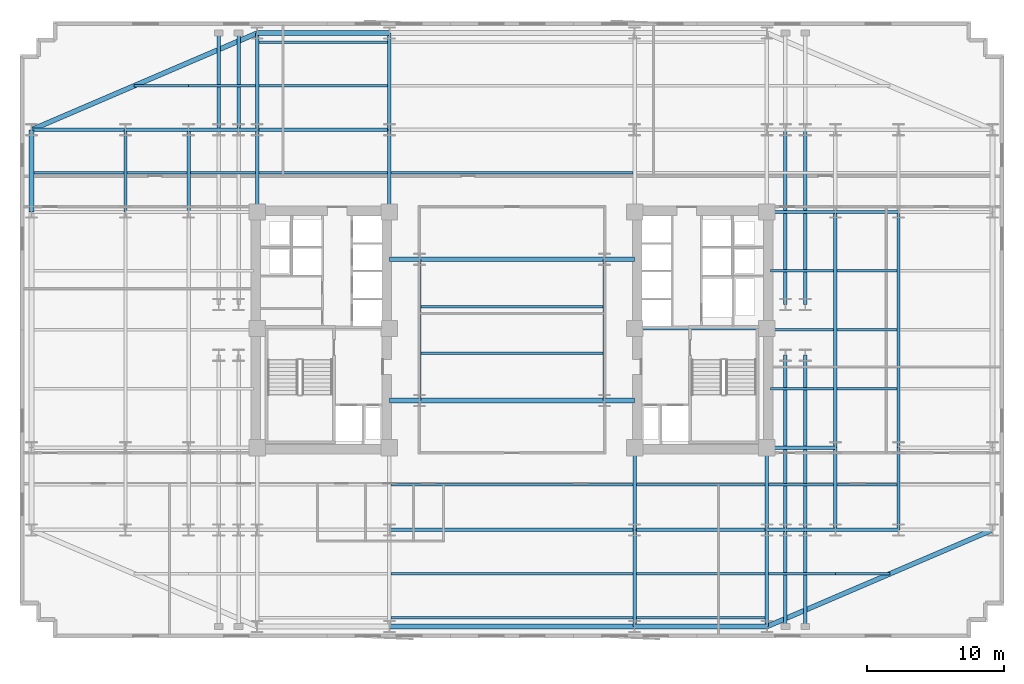
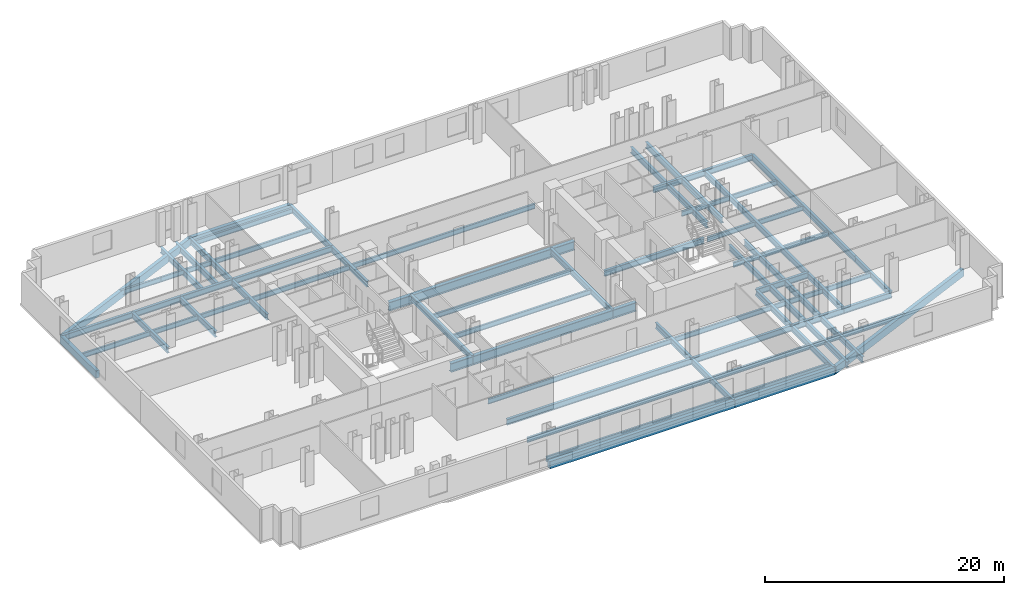
# One storey, part 2 of 10: 75 beams.
"""IFC4 building model written with IfcOpenShell, lengths in metres."""

from ifc_helpers import new_model, si_unit, direction, frame, origin, origin_2d, place, context, subcontext, project, spatial, rectangle, i_section, extrude, material, material_profile, profile_set, type_object, element, save


model = new_model("IFC4")

# Units and contexts
model_context = context("Model", 3, precision=1e-05, world=origin(), true_north=direction((0.0, 1.0)))
body_context = subcontext(model_context, "Body", "Model", "MODEL_VIEW")
ifc_project = project(units=[si_unit("LENGTHUNIT", "METRE"), si_unit("AREAUNIT", "SQUARE_METRE"), si_unit("VOLUMEUNIT", "CUBIC_METRE"), si_unit("PLANEANGLEUNIT", "RADIAN"), si_unit("MASSUNIT", "GRAM", prefix="KILO")], contexts=[model_context])

# Site, building, storey
site_placement = place(None, origin())
site = spatial("IfcSite", under=ifc_project, at=site_placement, CompositionType="ELEMENT")
building_placement = place(site_placement, origin())
building = spatial("IfcBuilding", under=site, at=building_placement, Name="Velakula Bourse", CompositionType="ELEMENT")
storey_placement = place(building_placement, frame((0.0, 0.0, 38.10009765625)))
storey = spatial("IfcBuildingStorey", under=building, at=storey_placement, Name="L09", CompositionType="ELEMENT", Elevation=38.10009765625)

# Beams
ifc_material_1 = material(Name="Steel IS 2062 Grade 350 (E350)", Category="steel")
ifc_material_profile_1 = material_profile(ifc_material_1, i_section(OverallWidth=0.25, OverallDepth=0.60009765625, WebThickness=0.01171875, FlangeThickness=0.023681640625, at=origin_2d()), Name="Steel IS 2062 Grade 350 (E350)")
ifc_profile_set_1 = profile_set([ifc_material_profile_1], Name="Steel IS 2062 Grade 350 (E350)")
beam_type_1 = type_object("IfcBeamType", Name="BM-GRD-600H", PredefinedType="BEAM", material=ifc_profile_set_1)
beam_1_placement = place(storey_placement, frame((8.949951171875, 0.10009765625, -0.47998046875), z_axis=(1.0, 0.0, 0.0), x_axis=(0.0, 1.0, 0.0)))
element("IfcBeam", 1, at=beam_1_placement, inside=storey, type_object=beam_type_1, Name="L09 Primary Backbone Girder CRE-M", PredefinedType="BEAM", context=body_context, shape_type="SweptSolid", body=[
    extrude(i_section(OverallWidth=0.25, OverallDepth=0.60009765625, WebThickness=0.01171875, FlangeThickness=0.023681640625, at=origin_2d()), origin(), (0.0, 0.0, 1.0), 9.650146484375),
])
for number, where, z_axis, x_axis, name in (
    (2, (-6.75, -5.14990234375, -0.47998046875), (0.0, 1.0, 0.0), (-1.0, 0.0, 0.0), "L09 Primary Backbone Girder SPN-W"),
    (3, (6.75, -5.14990234375, -0.47998046875), (0.0, 1.0, 0.0), (-1.0, 0.0, 0.0), "L09 Primary Backbone Girder SPN-E"),
):
    element("IfcBeam", number, at=place(storey_placement, frame(where, z_axis=z_axis, x_axis=x_axis)), inside=storey, type_object=beam_type_1, Name=name, PredefinedType="BEAM", context=body_context, shape_type="SweptSolid", body=[
        extrude(i_section(OverallWidth=0.25, OverallDepth=0.60009765625, WebThickness=0.01171875, FlangeThickness=0.023681640625, at=origin_2d()), origin(), (0.0, 0.0, 1.0), 10.2998046875),
    ])
for number, where, z_axis, x_axis, name in (
    (4, (-18.60009765625, 8.60009765625, -0.47998046875), (0.0, 1.0, 0.0), (-1.0, 0.0, 0.0), "L09 Fulcrum Grid Girder FLC-WN"),
    (5, (-8.949951171875, 8.60009765625, -0.47998046875), (0.0, 1.0, 0.0), (-1.0, 0.0, 0.0), "L09 Fulcrum Grid Girder FLC-WCN"),
    (6, (8.949951171875, -14.60009765625, -0.47998046875), (0.0, 1.0, 0.0), (-1.0, 0.0, 0.0), "L09 Fulcrum Grid Girder FLC-ECS"),
    (7, (18.60009765625, -14.60009765625, -0.47998046875), (0.0, 1.0, 0.0), (-1.0, 0.0, 0.0), "L09 Fulcrum Grid Girder FLC-ES"),
):
    element("IfcBeam", number, at=place(storey_placement, frame(where, z_axis=z_axis, x_axis=x_axis)), inside=storey, type_object=beam_type_1, Name=name, PredefinedType="BEAM", context=body_context, shape_type="SweptSolid", body=[
        extrude(i_section(OverallWidth=0.25, OverallDepth=0.60009765625, WebThickness=0.01171875, FlangeThickness=0.023681640625, at=origin_2d()), origin(), (0.0, 0.0, 1.0), 6.0),
    ])
beam_2_placement = place(storey_placement, frame((-8.949951171875, -14.60009765625, -0.47998046875), z_axis=(1.0, 0.0, 0.0), x_axis=(0.0, 1.0, 0.0)))
element("IfcBeam", 8, at=beam_2_placement, inside=storey, type_object=beam_type_1, Name="L09 Fulcrum Grid Girder FLC-S2", PredefinedType="BEAM", context=body_context, shape_type="SweptSolid", body=[
    extrude(i_section(OverallWidth=0.25, OverallDepth=0.60009765625, WebThickness=0.01171875, FlangeThickness=0.023681640625, at=origin_2d()), origin(), (0.0, 0.0, 1.0), 17.89990234375),
])
for number, where, z_axis, x_axis, name in (
    (9, (8.949951171875, -14.60009765625, -0.47998046875), (1.0, 0.0, 0.0), (0.0, 1.0, 0.0), "L09 Fulcrum Grid Girder FLC-S3"),
    (10, (-18.60009765625, 14.60009765625, -0.47998046875), (1.0, 0.0, 0.0), (0.0, 1.0, 0.0), "L09 Fulcrum Grid Girder FLC-N1"),
):
    element("IfcBeam", number, at=place(storey_placement, frame(where, z_axis=z_axis, x_axis=x_axis)), inside=storey, type_object=beam_type_1, Name=name, PredefinedType="BEAM", context=body_context, shape_type="SweptSolid", body=[
        extrude(i_section(OverallWidth=0.25, OverallDepth=0.60009765625, WebThickness=0.01171875, FlangeThickness=0.023681640625, at=origin_2d()), origin(), (0.0, 0.0, 1.0), 9.650146484375),
    ])
for number, where, z_axis, x_axis, name in (
    (11, (19.949951171875, -14.60009765625, -0.47998046875), (0.0, 1.0, 0.0), (-1.0, 0.0, 0.0), "L09 Fulcrum Grid Girder FLC-PSE1"),
    (12, (19.949951171875, 1.85009765625, -0.47998046875), (0.0, 1.0, 0.0), (-1.0, 0.0, 0.0), "L09 Fulcrum Grid Girder FLC-PNE1"),
    (13, (21.39990234375, -14.60009765625, -0.47998046875), (0.0, 1.0, 0.0), (-1.0, 0.0, 0.0), "L09 Fulcrum Grid Girder FLC-PSE2"),
    (14, (21.39990234375, 1.85009765625, -0.47998046875), (0.0, 1.0, 0.0), (-1.0, 0.0, 0.0), "L09 Fulcrum Grid Girder FLC-PNE2"),
):
    element("IfcBeam", number, at=place(storey_placement, frame(where, z_axis=z_axis, x_axis=x_axis)), inside=storey, type_object=beam_type_1, Name=name, PredefinedType="BEAM", context=body_context, shape_type="SweptSolid", body=[
        extrude(i_section(OverallWidth=0.25, OverallDepth=0.60009765625, WebThickness=0.01171875, FlangeThickness=0.023681640625, at=origin_2d()), origin(), (0.0, 0.0, 1.0), 12.75),
    ])
beam_3_placement = place(storey_placement, frame((-23.60009765625, 14.60009765625, -0.47998046875), z_axis=(1.0, 0.0, 0.0), x_axis=(0.0, 1.0, 0.0)))
element("IfcBeam", 15, at=beam_3_placement, inside=storey, type_object=beam_type_1, Name="L09 Fulcrum Grid Girder MWG-WN2", PredefinedType="BEAM", context=body_context, shape_type="SweptSolid", body=[
    extrude(i_section(OverallWidth=0.25, OverallDepth=0.60009765625, WebThickness=0.01171875, FlangeThickness=0.023681640625, at=origin_2d()), origin(), (0.0, 0.0, 1.0), 5.0),
])
beam_4_placement = place(storey_placement, frame((-23.60009765625, 8.60009765625, -0.47998046875), z_axis=(0.0, 1.0, 0.0), x_axis=(-1.0, 0.0, 0.0)))
element("IfcBeam", 16, at=beam_4_placement, inside=storey, type_object=beam_type_1, Name="L09 Fulcrum Grid Girder MWG-WNS3", PredefinedType="BEAM", context=body_context, shape_type="SweptSolid", body=[
    extrude(i_section(OverallWidth=0.25, OverallDepth=0.60009765625, WebThickness=0.01171875, FlangeThickness=0.023681640625, at=origin_2d()), origin(), (0.0, 0.0, 1.0), 6.0),
])
for number, where, z_axis, x_axis, name in (
    (17, (18.60009765625, -14.60009765625, -0.47998046875), (1.0, 0.0, 0.0), (0.0, 1.0, 0.0), "L09 Fulcrum Grid Girder MWG-ES1"),
    (18, (18.60009765625, -8.60009765625, -0.47998046875), (1.0, 0.0, 0.0), (0.0, 1.0, 0.0), "L09 Fulcrum Grid Girder MWG-ES2"),
    (19, (18.60009765625, 8.60009765625, -0.47998046875), (1.0, 0.0, 0.0), (0.0, 1.0, 0.0), "L09 Fulcrum Grid Girder MWG-EN1"),
):
    element("IfcBeam", number, at=place(storey_placement, frame(where, z_axis=z_axis, x_axis=x_axis)), inside=storey, type_object=beam_type_1, Name=name, PredefinedType="BEAM", context=body_context, shape_type="SweptSolid", body=[
        extrude(i_section(OverallWidth=0.25, OverallDepth=0.60009765625, WebThickness=0.01171875, FlangeThickness=0.023681640625, at=origin_2d()), origin(), (0.0, 0.0, 1.0), 5.0),
    ])
beam_5_placement = place(storey_placement, frame((23.60009765625, -14.60009765625, -0.47998046875), z_axis=(0.0, 1.0, 0.0), x_axis=(-1.0, 0.0, 0.0)))
element("IfcBeam", 20, at=beam_5_placement, inside=storey, type_object=beam_type_1, Name="L09 Fulcrum Grid Girder MWG-ENS1", PredefinedType="BEAM", context=body_context, shape_type="SweptSolid", body=[
    extrude(i_section(OverallWidth=0.25, OverallDepth=0.60009765625, WebThickness=0.01171875, FlangeThickness=0.023681640625, at=origin_2d()), origin(), (0.0, 0.0, 1.0), 6.0),
])
beam_6_placement = place(storey_placement, frame((23.60009765625, -8.60009765625, -0.47998046875), z_axis=(0.0, 1.0, 0.0), x_axis=(-1.0, 0.0, 0.0)))
element("IfcBeam", 21, at=beam_6_placement, inside=storey, type_object=beam_type_1, Name="L09 Fulcrum Grid Girder MWG-ENS2", PredefinedType="BEAM", context=body_context, shape_type="SweptSolid", body=[
    extrude(i_section(OverallWidth=0.25, OverallDepth=0.60009765625, WebThickness=0.01171875, FlangeThickness=0.023681640625, at=origin_2d()), origin(), (0.0, 0.0, 1.0), 17.2001953125),
])
beam_7_placement = place(storey_placement, frame((-28.199951171875, 14.60009765625, -0.47998046875), z_axis=(1.0, 0.0, 0.0), x_axis=(0.0, 1.0, 0.0)))
element("IfcBeam", 22, at=beam_7_placement, inside=storey, type_object=beam_type_1, Name="L09 Fulcrum Grid Girder WNG-WN2", PredefinedType="BEAM", context=body_context, shape_type="SweptSolid", body=[
    extrude(i_section(OverallWidth=0.25, OverallDepth=0.60009765625, WebThickness=0.01171875, FlangeThickness=0.023681640625, at=origin_2d()), origin(), (0.0, 0.0, 1.0), 4.599853515625),
])
beam_8_placement = place(storey_placement, frame((-28.199951171875, 8.60009765625, -0.47998046875), z_axis=(0.0, 1.0, 0.0), x_axis=(-1.0, 0.0, 0.0)))
element("IfcBeam", 23, at=beam_8_placement, inside=storey, type_object=beam_type_1, Name="L09 Fulcrum Grid Girder WNG-WNS3", PredefinedType="BEAM", context=body_context, shape_type="SweptSolid", body=[
    extrude(i_section(OverallWidth=0.25, OverallDepth=0.60009765625, WebThickness=0.01171875, FlangeThickness=0.023681640625, at=origin_2d()), origin(), (0.0, 0.0, 1.0), 6.0),
])
for number, where, z_axis, x_axis, name in (
    (24, (23.60009765625, -14.60009765625, -0.47998046875), (1.0, 0.0, 0.0), (0.0, 1.0, 0.0), "L09 Fulcrum Grid Girder WNG-ES1"),
    (25, (23.60009765625, 8.60009765625, -0.47998046875), (1.0, 0.0, 0.0), (0.0, 1.0, 0.0), "L09 Fulcrum Grid Girder WNG-EN1"),
):
    element("IfcBeam", number, at=place(storey_placement, frame(where, z_axis=z_axis, x_axis=x_axis)), inside=storey, type_object=beam_type_1, Name=name, PredefinedType="BEAM", context=body_context, shape_type="SweptSolid", body=[
        extrude(i_section(OverallWidth=0.25, OverallDepth=0.60009765625, WebThickness=0.01171875, FlangeThickness=0.023681640625, at=origin_2d()), origin(), (0.0, 0.0, 1.0), 4.599853515625),
    ])
beam_9_placement = place(storey_placement, frame((28.199951171875, -14.60009765625, -0.47998046875), z_axis=(0.0, 1.0, 0.0), x_axis=(-1.0, 0.0, 0.0)))
element("IfcBeam", 26, at=beam_9_placement, inside=storey, type_object=beam_type_1, Name="L09 Fulcrum Grid Girder WNG-ENS1", PredefinedType="BEAM", context=body_context, shape_type="SweptSolid", body=[
    extrude(i_section(OverallWidth=0.25, OverallDepth=0.60009765625, WebThickness=0.01171875, FlangeThickness=0.023681640625, at=origin_2d()), origin(), (0.0, 0.0, 1.0), 6.0),
])
beam_10_placement = place(storey_placement, frame((28.199951171875, -8.60009765625, -0.47998046875), z_axis=(0.0, 1.0, 0.0), x_axis=(-1.0, 0.0, 0.0)))
element("IfcBeam", 27, at=beam_10_placement, inside=storey, type_object=beam_type_1, Name="L09 Fulcrum Grid Girder WNG-ENS2", PredefinedType="BEAM", context=body_context, shape_type="SweptSolid", body=[
    extrude(i_section(OverallWidth=0.25, OverallDepth=0.60009765625, WebThickness=0.01171875, FlangeThickness=0.023681640625, at=origin_2d()), origin(), (0.0, 0.0, 1.0), 17.2001953125),
])
for number, where, z_axis, x_axis, name in (
    (28, (8.949951171875, -14.60009765625, -0.47998046875), (0.0, -1.0, 0.0), (1.0, 0.0, 0.0), "L09 Perimeter Tie Girder S3"),
    (29, (18.60009765625, -14.60009765625, -0.47998046875), (0.0, -1.0, 0.0), (1.0, 0.0, 0.0), "L09 Perimeter Tie Girder S4"),
    (30, (-18.60009765625, 14.60009765625, -0.47998046875), (0.0, 1.0, 0.0), (-1.0, 0.0, 0.0), "L09 Perimeter Tie Girder N1"),
    (31, (-8.949951171875, 14.60009765625, -0.47998046875), (0.0, 1.0, 0.0), (-1.0, 0.0, 0.0), "L09 Perimeter Tie Girder N2"),
):
    element("IfcBeam", number, at=place(storey_placement, frame(where, z_axis=z_axis, x_axis=x_axis)), inside=storey, type_object=beam_type_1, Name=name, PredefinedType="BEAM", context=body_context, shape_type="SweptSolid", body=[
        extrude(i_section(OverallWidth=0.25, OverallDepth=0.60009765625, WebThickness=0.01171875, FlangeThickness=0.023681640625, at=origin_2d()), origin(), (0.0, 0.0, 1.0), 7.0498046875),
    ])
beam_11_placement = place(storey_placement, frame((-28.199951171875, 14.60009765625, -0.47998046875), z_axis=(-1.0, 0.0, 0.0), x_axis=(0.0, -1.0, 0.0)))
element("IfcBeam", 32, at=beam_11_placement, inside=storey, type_object=beam_type_1, Name="L09 Perimeter Tie Girder W4", PredefinedType="BEAM", context=body_context, shape_type="SweptSolid", body=[
    extrude(i_section(OverallWidth=0.25, OverallDepth=0.60009765625, WebThickness=0.01171875, FlangeThickness=0.023681640625, at=origin_2d()), origin(), (0.0, 0.0, 1.0), 6.85009765625),
])
for number, where, z_axis, x_axis, name in (
    (33, (19.949951171875, -14.60009765625, -0.47998046875), (0.0, -1.0, 0.0), (1.0, 0.0, 0.0), "L09 Perimeter Tie Girder P03"),
    (34, (21.39990234375, -14.60009765625, -0.47998046875), (0.0, -1.0, 0.0), (1.0, 0.0, 0.0), "L09 Perimeter Tie Girder P04"),
    (35, (-21.39990234375, 14.60009765625, -0.47998046875), (0.0, 1.0, 0.0), (-1.0, 0.0, 0.0), "L09 Perimeter Tie Girder P05"),
    (36, (-19.949951171875, 14.60009765625, -0.47998046875), (0.0, 1.0, 0.0), (-1.0, 0.0, 0.0), "L09 Perimeter Tie Girder P06"),
):
    element("IfcBeam", number, at=place(storey_placement, frame(where, z_axis=z_axis, x_axis=x_axis)), inside=storey, type_object=beam_type_1, Name=name, PredefinedType="BEAM", context=body_context, shape_type="SweptSolid", body=[
        extrude(i_section(OverallWidth=0.25, OverallDepth=0.60009765625, WebThickness=0.01171875, FlangeThickness=0.023681640625, at=origin_2d()), origin(), (0.0, 0.0, 1.0), 7.0498046875),
    ])
ifc_material_profile_2 = material_profile(ifc_material_1, i_section(OverallWidth=0.35009765625, OverallDepth=0.89990234375, WebThickness=0.02001953125, FlangeThickness=0.031982421875, at=origin_2d()), Name="Steel IS 2062 Grade 350 (E350)")
ifc_profile_set_2 = profile_set([ifc_material_profile_2], Name="Steel IS 2062 Grade 350 (E350)")
beam_type_2 = type_object("IfcBeamType", Name="BM-LNK-900", PredefinedType="BEAM", material=ifc_profile_set_2)
beam_12_placement = place(storey_placement, frame((-8.949951171875, -5.14990234375, -0.630126953125), z_axis=(1.0, 0.0, 0.0), x_axis=(0.0, 1.0, 0.0)))
element("IfcBeam", 37, at=beam_12_placement, inside=storey, type_object=beam_type_2, Name="L09 Primary Backbone Girder LNK-S1", PredefinedType="BEAM", context=body_context, shape_type="SweptSolid", body=[
    extrude(i_section(OverallWidth=0.35009765625, OverallDepth=0.89990234375, WebThickness=0.02001953125, FlangeThickness=0.031982421875, at=origin_2d()), origin(), (0.0, 0.0, 1.0), 2.199951171875),
])
beam_13_placement = place(storey_placement, frame((-6.75, -5.14990234375, -0.630126953125), z_axis=(1.0, 0.0, 0.0), x_axis=(0.0, 1.0, 0.0)))
element("IfcBeam", 38, at=beam_13_placement, inside=storey, type_object=beam_type_2, Name="L09 Primary Backbone Girder LNK-S2", PredefinedType="BEAM", context=body_context, shape_type="SweptSolid", body=[
    extrude(i_section(OverallWidth=0.35009765625, OverallDepth=0.89990234375, WebThickness=0.02001953125, FlangeThickness=0.031982421875, at=origin_2d()), origin(), (0.0, 0.0, 1.0), 13.5),
])
for number, where, z_axis, x_axis, name in (
    (39, (6.75, -5.14990234375, -0.630126953125), (1.0, 0.0, 0.0), (0.0, 1.0, 0.0), "L09 Primary Backbone Girder LNK-S3"),
    (40, (-8.949951171875, 5.14990234375, -0.630126953125), (1.0, 0.0, 0.0), (0.0, 1.0, 0.0), "L09 Primary Backbone Girder LNK-N1"),
):
    element("IfcBeam", number, at=place(storey_placement, frame(where, z_axis=z_axis, x_axis=x_axis)), inside=storey, type_object=beam_type_2, Name=name, PredefinedType="BEAM", context=body_context, shape_type="SweptSolid", body=[
        extrude(i_section(OverallWidth=0.35009765625, OverallDepth=0.89990234375, WebThickness=0.02001953125, FlangeThickness=0.031982421875, at=origin_2d()), origin(), (0.0, 0.0, 1.0), 2.199951171875),
    ])
beam_14_placement = place(storey_placement, frame((-6.75, 5.14990234375, -0.630126953125), z_axis=(1.0, 0.0, 0.0), x_axis=(0.0, 1.0, 0.0)))
element("IfcBeam", 41, at=beam_14_placement, inside=storey, type_object=beam_type_2, Name="L09 Primary Backbone Girder LNK-N2", PredefinedType="BEAM", context=body_context, shape_type="SweptSolid", body=[
    extrude(i_section(OverallWidth=0.35009765625, OverallDepth=0.89990234375, WebThickness=0.02001953125, FlangeThickness=0.031982421875, at=origin_2d()), origin(), (0.0, 0.0, 1.0), 13.5),
])
beam_15_placement = place(storey_placement, frame((6.75, 5.14990234375, -0.630126953125), z_axis=(1.0, 0.0, 0.0), x_axis=(0.0, 1.0, 0.0)))
element("IfcBeam", 42, at=beam_15_placement, inside=storey, type_object=beam_type_2, Name="L09 Primary Backbone Girder LNK-N3", PredefinedType="BEAM", context=body_context, shape_type="SweptSolid", body=[
    extrude(i_section(OverallWidth=0.35009765625, OverallDepth=0.89990234375, WebThickness=0.02001953125, FlangeThickness=0.031982421875, at=origin_2d()), origin(), (0.0, 0.0, 1.0), 2.199951171875),
])
ifc_material_profile_3 = material_profile(ifc_material_1, i_section(OverallWidth=0.179931640625, OverallDepth=0.5, WebThickness=0.01025390625, FlangeThickness=0.01708984375, at=origin_2d()), Name="Steel IS 2062 Grade 350 (E350)")
ifc_profile_set_3 = profile_set([ifc_material_profile_3], Name="Steel IS 2062 Grade 350 (E350)")
beam_type_3 = type_object("IfcBeamType", Name="JST-TWR-500", PredefinedType="JOIST", material=ifc_profile_set_3)
beam_16_placement = place(storey_placement, frame((-8.824951171875, -21.0, -0.43017578125), z_axis=(1.0, 0.0, 0.0), x_axis=(0.0, 1.0, 0.0)))
element("IfcBeam", 43, at=beam_16_placement, inside=storey, type_object=beam_type_3, Name="L09 Trading Floor Composite Joist 02", PredefinedType="JOIST", context=body_context, shape_type="SweptSolid", body=[
    extrude(i_section(OverallWidth=0.179931640625, OverallDepth=0.5, WebThickness=0.01025390625, FlangeThickness=0.01708984375, at=origin_2d()), origin(), (0.0, 0.0, 1.0), 17.64990234375),
])
beam_17_placement = place(storey_placement, frame((9.074951171875, -21.0, -0.43017578125), z_axis=(1.0, 0.0, 0.0), x_axis=(0.0, 1.0, 0.0)))
element("IfcBeam", 44, at=beam_17_placement, inside=storey, type_object=beam_type_3, Name="L09 Trading Floor Composite Joist 03", PredefinedType="JOIST", context=body_context, shape_type="SweptSolid", body=[
    extrude(i_section(OverallWidth=0.179931640625, OverallDepth=0.5, WebThickness=0.01025390625, FlangeThickness=0.01708984375, at=origin_2d()), origin(), (0.0, 0.0, 1.0), 9.400146484375),
])
beam_18_placement = place(storey_placement, frame((-8.824951171875, -17.800048828125, -0.43017578125), z_axis=(1.0, 0.0, 0.0), x_axis=(0.0, 1.0, 0.0)))
element("IfcBeam", 45, at=beam_18_placement, inside=storey, type_object=beam_type_3, Name="L09 Trading Floor Composite Joist 07", PredefinedType="JOIST", context=body_context, shape_type="SweptSolid", body=[
    extrude(i_section(OverallWidth=0.179931640625, OverallDepth=0.5, WebThickness=0.01025390625, FlangeThickness=0.01708984375, at=origin_2d()), origin(), (0.0, 0.0, 1.0), 17.64990234375),
])
beam_19_placement = place(storey_placement, frame((9.074951171875, -17.800048828125, -0.43017578125), z_axis=(1.0, 0.0, 0.0), x_axis=(0.0, 1.0, 0.0)))
element("IfcBeam", 46, at=beam_19_placement, inside=storey, type_object=beam_type_3, Name="L09 Trading Floor Composite Joist 08", PredefinedType="JOIST", context=body_context, shape_type="SweptSolid", body=[
    extrude(i_section(OverallWidth=0.179931640625, OverallDepth=0.5, WebThickness=0.01025390625, FlangeThickness=0.01708984375, at=origin_2d()), origin(), (0.0, 0.0, 1.0), 9.400146484375),
])
beam_20_placement = place(storey_placement, frame((18.72509765625, -17.800048828125, -0.43017578125), z_axis=(1.0, 0.0, 0.0), x_axis=(0.0, 1.0, 0.0)))
element("IfcBeam", 47, at=beam_20_placement, inside=storey, type_object=beam_type_3, Name="L09 Trading Floor Composite Joist 09", PredefinedType="JOIST", context=body_context, shape_type="SweptSolid", body=[
    extrude(i_section(OverallWidth=0.179931640625, OverallDepth=0.5, WebThickness=0.01025390625, FlangeThickness=0.01708984375, at=origin_2d()), origin(), (0.0, 0.0, 1.0), 4.875),
])
beam_21_placement = place(storey_placement, frame((23.60009765625, -17.800048828125, -0.43017578125), z_axis=(1.0, 0.0, 0.0), x_axis=(0.0, 1.0, 0.0)))
element("IfcBeam", 48, at=beam_21_placement, inside=storey, type_object=beam_type_3, Name="L09 Trading Floor Composite Joist 10", PredefinedType="JOIST", context=body_context, shape_type="SweptSolid", body=[
    extrude(i_section(OverallWidth=0.179931640625, OverallDepth=0.5, WebThickness=0.01025390625, FlangeThickness=0.01708984375, at=origin_2d()), origin(), (0.0, 0.0, 1.0), 3.983154296875),
])
beam_22_placement = place(storey_placement, frame((-8.824951171875, -11.300048828125, -0.43017578125), z_axis=(1.0, 0.0, 0.0), x_axis=(0.0, 1.0, 0.0)))
element("IfcBeam", 49, at=beam_22_placement, inside=storey, type_object=beam_type_3, Name="L09 Trading Floor Composite Joist 15", PredefinedType="JOIST", context=body_context, shape_type="SweptSolid", body=[
    extrude(i_section(OverallWidth=0.179931640625, OverallDepth=0.5, WebThickness=0.01025390625, FlangeThickness=0.01708984375, at=origin_2d()), origin(), (0.0, 0.0, 1.0), 17.64990234375),
])
beam_23_placement = place(storey_placement, frame((9.074951171875, -11.300048828125, -0.43017578125), z_axis=(1.0, 0.0, 0.0), x_axis=(0.0, 1.0, 0.0)))
element("IfcBeam", 50, at=beam_23_placement, inside=storey, type_object=beam_type_3, Name="L09 Trading Floor Composite Joist 16", PredefinedType="JOIST", context=body_context, shape_type="SweptSolid", body=[
    extrude(i_section(OverallWidth=0.179931640625, OverallDepth=0.5, WebThickness=0.01025390625, FlangeThickness=0.01708984375, at=origin_2d()), origin(), (0.0, 0.0, 1.0), 9.400146484375),
])
beam_24_placement = place(storey_placement, frame((18.72509765625, -11.300048828125, -0.43017578125), z_axis=(1.0, 0.0, 0.0), x_axis=(0.0, 1.0, 0.0)))
element("IfcBeam", 51, at=beam_24_placement, inside=storey, type_object=beam_type_3, Name="L09 Trading Floor Composite Joist 17", PredefinedType="JOIST", context=body_context, shape_type="SweptSolid", body=[
    extrude(i_section(OverallWidth=0.179931640625, OverallDepth=0.5, WebThickness=0.01025390625, FlangeThickness=0.01708984375, at=origin_2d()), origin(), (0.0, 0.0, 1.0), 4.75),
])
beam_25_placement = place(storey_placement, frame((23.72509765625, -11.300048828125, -0.43017578125), z_axis=(1.0, 0.0, 0.0), x_axis=(0.0, 1.0, 0.0)))
element("IfcBeam", 52, at=beam_25_placement, inside=storey, type_object=beam_type_3, Name="L09 Trading Floor Composite Joist 18", PredefinedType="JOIST", context=body_context, shape_type="SweptSolid", body=[
    extrude(i_section(OverallWidth=0.179931640625, OverallDepth=0.5, WebThickness=0.01025390625, FlangeThickness=0.01708984375, at=origin_2d()), origin(), (0.0, 0.0, 1.0), 4.349853515625),
])
beam_26_placement = place(storey_placement, frame((-34.875, 11.449951171875, -0.43017578125), z_axis=(1.0, 0.0, 0.0), x_axis=(0.0, 1.0, 0.0)))
element("IfcBeam", 53, at=beam_26_placement, inside=storey, type_object=beam_type_3, Name="L09 Trading Floor Composite Joist 20", PredefinedType="JOIST", context=body_context, shape_type="SweptSolid", body=[
    extrude(i_section(OverallWidth=0.179931640625, OverallDepth=0.5, WebThickness=0.01025390625, FlangeThickness=0.01708984375, at=origin_2d()), origin(), (0.0, 0.0, 1.0), 6.550048828125),
])
beam_27_placement = place(storey_placement, frame((-28.074951171875, 11.449951171875, -0.43017578125), z_axis=(1.0, 0.0, 0.0), x_axis=(0.0, 1.0, 0.0)))
element("IfcBeam", 54, at=beam_27_placement, inside=storey, type_object=beam_type_3, Name="L09 Trading Floor Composite Joist 21", PredefinedType="JOIST", context=body_context, shape_type="SweptSolid", body=[
    extrude(i_section(OverallWidth=0.179931640625, OverallDepth=0.5, WebThickness=0.01025390625, FlangeThickness=0.01708984375, at=origin_2d()), origin(), (0.0, 0.0, 1.0), 4.349853515625),
])
beam_28_placement = place(storey_placement, frame((-23.47509765625, 11.449951171875, -0.43017578125), z_axis=(1.0, 0.0, 0.0), x_axis=(0.0, 1.0, 0.0)))
element("IfcBeam", 55, at=beam_28_placement, inside=storey, type_object=beam_type_3, Name="L09 Trading Floor Composite Joist 22", PredefinedType="JOIST", context=body_context, shape_type="SweptSolid", body=[
    extrude(i_section(OverallWidth=0.179931640625, OverallDepth=0.5, WebThickness=0.01025390625, FlangeThickness=0.01708984375, at=origin_2d()), origin(), (0.0, 0.0, 1.0), 4.75),
])
beam_29_placement = place(storey_placement, frame((-18.47509765625, 11.449951171875, -0.43017578125), z_axis=(1.0, 0.0, 0.0), x_axis=(0.0, 1.0, 0.0)))
element("IfcBeam", 56, at=beam_29_placement, inside=storey, type_object=beam_type_3, Name="L09 Trading Floor Composite Joist 23", PredefinedType="JOIST", context=body_context, shape_type="SweptSolid", body=[
    extrude(i_section(OverallWidth=0.179931640625, OverallDepth=0.5, WebThickness=0.01025390625, FlangeThickness=0.01708984375, at=origin_2d()), origin(), (0.0, 0.0, 1.0), 9.400146484375),
])
beam_30_placement = place(storey_placement, frame((-8.824951171875, 11.449951171875, -0.43017578125), z_axis=(1.0, 0.0, 0.0), x_axis=(0.0, 1.0, 0.0)))
element("IfcBeam", 57, at=beam_30_placement, inside=storey, type_object=beam_type_3, Name="L09 Trading Floor Composite Joist 24", PredefinedType="JOIST", context=body_context, shape_type="SweptSolid", body=[
    extrude(i_section(OverallWidth=0.179931640625, OverallDepth=0.5, WebThickness=0.01025390625, FlangeThickness=0.01708984375, at=origin_2d()), origin(), (0.0, 0.0, 1.0), 17.64990234375),
])
beam_31_placement = place(storey_placement, frame((-27.583251953125, 17.800048828125, -0.43017578125), z_axis=(1.0, 0.0, 0.0), x_axis=(0.0, 1.0, 0.0)))
element("IfcBeam", 58, at=beam_31_placement, inside=storey, type_object=beam_type_3, Name="L09 Trading Floor Composite Joist 29", PredefinedType="JOIST", context=body_context, shape_type="SweptSolid", body=[
    extrude(i_section(OverallWidth=0.179931640625, OverallDepth=0.5, WebThickness=0.01025390625, FlangeThickness=0.01708984375, at=origin_2d()), origin(), (0.0, 0.0, 1.0), 3.983154296875),
])
beam_32_placement = place(storey_placement, frame((-23.60009765625, 17.800048828125, -0.43017578125), z_axis=(1.0, 0.0, 0.0), x_axis=(0.0, 1.0, 0.0)))
element("IfcBeam", 59, at=beam_32_placement, inside=storey, type_object=beam_type_3, Name="L09 Trading Floor Composite Joist 30", PredefinedType="JOIST", context=body_context, shape_type="SweptSolid", body=[
    extrude(i_section(OverallWidth=0.179931640625, OverallDepth=0.5, WebThickness=0.01025390625, FlangeThickness=0.01708984375, at=origin_2d()), origin(), (0.0, 0.0, 1.0), 4.875),
])
for number, where, z_axis, x_axis, name in (
    (60, (-18.47509765625, 17.800048828125, -0.43017578125), (1.0, 0.0, 0.0), (0.0, 1.0, 0.0), "L09 Trading Floor Composite Joist 31"),
    (61, (-18.47509765625, 21.0, -0.43017578125), (1.0, 0.0, 0.0), (0.0, 1.0, 0.0), "L09 Trading Floor Composite Joist 36"),
):
    element("IfcBeam", number, at=place(storey_placement, frame(where, z_axis=z_axis, x_axis=x_axis)), inside=storey, type_object=beam_type_3, Name=name, PredefinedType="JOIST", context=body_context, shape_type="SweptSolid", body=[
        extrude(i_section(OverallWidth=0.179931640625, OverallDepth=0.5, WebThickness=0.01025390625, FlangeThickness=0.01708984375, at=origin_2d()), origin(), (0.0, 0.0, 1.0), 9.400146484375),
    ])
for number, where, z_axis, x_axis, name in (
    (62, (-6.625, -1.699951171875, -0.43017578125), (1.0, 0.0, 0.0), (0.0, 1.0, 0.0), "L09 Trading Floor Composite Joist 39"),
    (63, (-6.625, 1.699951171875, -0.43017578125), (1.0, 0.0, 0.0), (0.0, 1.0, 0.0), "L09 Trading Floor Composite Joist 40"),
):
    element("IfcBeam", number, at=place(storey_placement, frame(where, z_axis=z_axis, x_axis=x_axis)), inside=storey, type_object=beam_type_3, Name=name, PredefinedType="JOIST", context=body_context, shape_type="SweptSolid", body=[
        extrude(i_section(OverallWidth=0.179931640625, OverallDepth=0.5, WebThickness=0.01025390625, FlangeThickness=0.01708984375, at=origin_2d()), origin(), (0.0, 0.0, 1.0), 13.25),
    ])
beam_33_placement = place(storey_placement, frame((18.85009765625, -4.300048828125, -0.43017578125), z_axis=(1.0, 0.0, 0.0), x_axis=(0.0, 1.0, 0.0)))
element("IfcBeam", 64, at=beam_33_placement, inside=storey, type_object=beam_type_3, Name="L09 Trading Floor Composite Joist 44", PredefinedType="JOIST", context=body_context, shape_type="SweptSolid", body=[
    extrude(i_section(OverallWidth=0.179931640625, OverallDepth=0.5, WebThickness=0.01025390625, FlangeThickness=0.01708984375, at=origin_2d()), origin(), (0.0, 0.0, 1.0), 4.625),
])
beam_34_placement = place(storey_placement, frame((23.72509765625, -4.300048828125, -0.43017578125), z_axis=(1.0, 0.0, 0.0), x_axis=(0.0, 1.0, 0.0)))
element("IfcBeam", 65, at=beam_34_placement, inside=storey, type_object=beam_type_3, Name="L09 Trading Floor Composite Joist 45", PredefinedType="JOIST", context=body_context, shape_type="SweptSolid", body=[
    extrude(i_section(OverallWidth=0.179931640625, OverallDepth=0.5, WebThickness=0.01025390625, FlangeThickness=0.01708984375, at=origin_2d()), origin(), (0.0, 0.0, 1.0), 4.349853515625),
])
beam_35_placement = place(storey_placement, frame((18.85009765625, 0.0, -0.43017578125), z_axis=(1.0, 0.0, 0.0), x_axis=(0.0, 1.0, 0.0)))
element("IfcBeam", 66, at=beam_35_placement, inside=storey, type_object=beam_type_3, Name="L09 Trading Floor Composite Joist 50", PredefinedType="JOIST", context=body_context, shape_type="SweptSolid", body=[
    extrude(i_section(OverallWidth=0.179931640625, OverallDepth=0.5, WebThickness=0.01025390625, FlangeThickness=0.01708984375, at=origin_2d()), origin(), (0.0, 0.0, 1.0), 4.625),
])
beam_36_placement = place(storey_placement, frame((23.72509765625, 0.0, -0.43017578125), z_axis=(1.0, 0.0, 0.0), x_axis=(0.0, 1.0, 0.0)))
element("IfcBeam", 67, at=beam_36_placement, inside=storey, type_object=beam_type_3, Name="L09 Trading Floor Composite Joist 51", PredefinedType="JOIST", context=body_context, shape_type="SweptSolid", body=[
    extrude(i_section(OverallWidth=0.179931640625, OverallDepth=0.5, WebThickness=0.01025390625, FlangeThickness=0.01708984375, at=origin_2d()), origin(), (0.0, 0.0, 1.0), 4.349853515625),
])
beam_37_placement = place(storey_placement, frame((18.85009765625, 4.300048828125, -0.43017578125), z_axis=(1.0, 0.0, 0.0), x_axis=(0.0, 1.0, 0.0)))
element("IfcBeam", 68, at=beam_37_placement, inside=storey, type_object=beam_type_3, Name="L09 Trading Floor Composite Joist 56", PredefinedType="JOIST", context=body_context, shape_type="SweptSolid", body=[
    extrude(i_section(OverallWidth=0.179931640625, OverallDepth=0.5, WebThickness=0.01025390625, FlangeThickness=0.01708984375, at=origin_2d()), origin(), (0.0, 0.0, 1.0), 4.625),
])
beam_38_placement = place(storey_placement, frame((23.72509765625, 4.300048828125, -0.43017578125), z_axis=(1.0, 0.0, 0.0), x_axis=(0.0, 1.0, 0.0)))
element("IfcBeam", 69, at=beam_38_placement, inside=storey, type_object=beam_type_3, Name="L09 Trading Floor Composite Joist 57", PredefinedType="JOIST", context=body_context, shape_type="SweptSolid", body=[
    extrude(i_section(OverallWidth=0.179931640625, OverallDepth=0.5, WebThickness=0.01025390625, FlangeThickness=0.01708984375, at=origin_2d()), origin(), (0.0, 0.0, 1.0), 4.349853515625),
])
ifc_material_2 = material(Name="Precast concrete M45 (fck 45 MPa)", Category="concrete")
ifc_material_profile_4 = material_profile(ifc_material_2, rectangle(XDim=0.35009765625, YDim=0.75, at=origin_2d()), Name="Precast concrete M45 (fck 45 MPa)")
ifc_profile_set_4 = profile_set([ifc_material_profile_4], Name="Precast concrete M45 (fck 45 MPa)")
beam_type_4 = type_object("IfcBeamType", Name="SPN-BRICK-750", PredefinedType="SPANDREL", material=ifc_profile_set_4)
beam_39_placement = place(storey_placement, frame((-8.949951171875, -21.64990234375, -0.55517578125), z_axis=(1.0, 0.0, 0.0), x_axis=(0.0, 1.0, 0.0)))
element("IfcBeam", 70, at=beam_39_placement, inside=storey, type_object=beam_type_4, Name="L09 Brick-Faced Precast Spandrel S2-S3", PredefinedType="SPANDREL", context=body_context, shape_type="SweptSolid", body=[
    extrude(rectangle(XDim=0.35009765625, YDim=0.75, at=origin_2d()), origin(), (0.0, 0.0, 1.0), 17.89990234375),
])
for number, where, z_axis, x_axis, name in (
    (71, (8.949951171875, -21.64990234375, -0.55517578125), (1.0, 0.0, 0.0), (0.0, 1.0, 0.0), "L09 Brick-Faced Precast Spandrel S3-S4"),
    (72, (-18.60009765625, 21.64990234375, -0.55517578125), (1.0, 0.0, 0.0), (0.0, 1.0, 0.0), "L09 Brick-Faced Precast Spandrel N1-N2"),
):
    element("IfcBeam", number, at=place(storey_placement, frame(where, z_axis=z_axis, x_axis=x_axis)), inside=storey, type_object=beam_type_4, Name=name, PredefinedType="SPANDREL", context=body_context, shape_type="SweptSolid", body=[
        extrude(rectangle(XDim=0.35009765625, YDim=0.75, at=origin_2d()), origin(), (0.0, 0.0, 1.0), 9.650146484375),
    ])
beam_40_placement = place(storey_placement, frame((-35.050048828125, 8.60009765625, -0.55517578125), z_axis=(0.0, 1.0, 0.0), x_axis=(-1.0, 0.0, 0.0)))
element("IfcBeam", 73, at=beam_40_placement, inside=storey, type_object=beam_type_4, Name="L09 Brick-Faced Precast Spandrel W3-W4", PredefinedType="SPANDREL", context=body_context, shape_type="SweptSolid", body=[
    extrude(rectangle(XDim=0.35009765625, YDim=0.75, at=origin_2d()), origin(), (0.0, 0.0, 1.0), 6.0),
])
for number, where, z_axis, x_axis, name in (
    (74, (18.60009765625, -21.64990234375, -0.55517578125), (0.919148557947, 0.393911066642, 0.0), (-0.393911066642, 0.919148557947, 0.0), "L09 Brick-Faced Precast Spandrel S4-E1"),
    (75, (-18.60009765625, 21.64990234375, -0.55517578125), (-0.919148557947, -0.393911066642, 0.0), (0.393911066642, -0.919148557947, 0.0), "L09 Brick-Faced Precast Spandrel N1-W4"),
):
    element("IfcBeam", number, at=place(storey_placement, frame(where, z_axis=z_axis, x_axis=x_axis)), inside=storey, type_object=beam_type_4, Name=name, PredefinedType="SPANDREL", context=body_context, shape_type="SweptSolid", body=[
        extrude(rectangle(XDim=0.35009765625, YDim=0.75, at=origin_2d()), origin(), (0.0, 0.0, 1.0), 17.89697265625),
    ])

save(model, "model.ifc")
